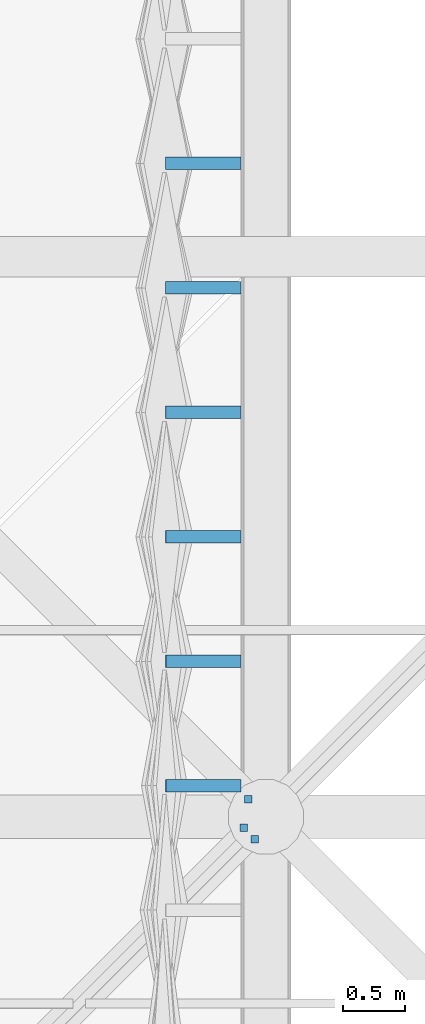
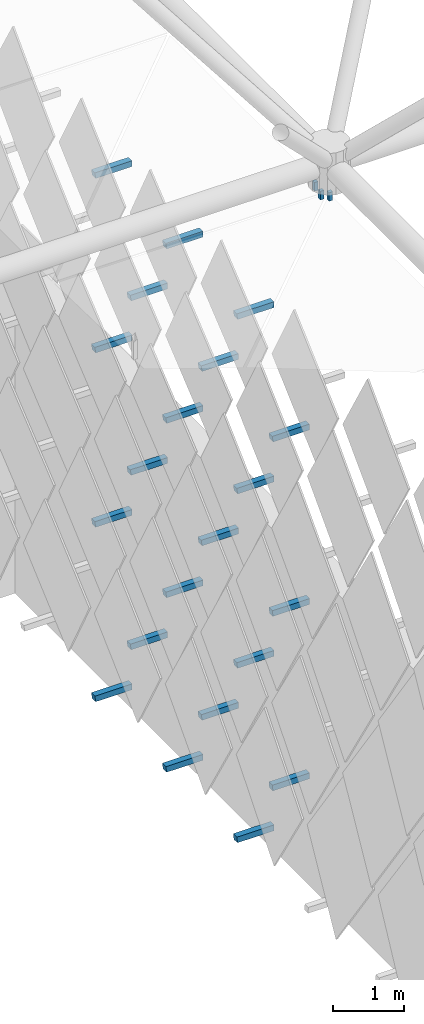
# One storey, part 359 of 437: 24 discrete accessories.
"""IFC4 building model written with IfcOpenShell, lengths in metres."""

from ifc_helpers import new_model, si_unit, direction, frame, origin, place, context, subcontext, project, spatial, polyline, outline, extrude, material, type_object, element, save


model = new_model("IFC4")

# Units and contexts
model_context = context("Model", 3, precision=1e-05, world=origin(), true_north=direction((0.0, 1.0)))
body_context = subcontext(model_context, "Body", "Model", "MODEL_VIEW")
ifc_project = project(units=[si_unit("LENGTHUNIT", "METRE"), si_unit("AREAUNIT", "SQUARE_METRE"), si_unit("VOLUMEUNIT", "CUBIC_METRE"), si_unit("PLANEANGLEUNIT", "RADIAN"), si_unit("MASSUNIT", "GRAM", prefix="KILO")], contexts=[model_context])

# Site, building, storey
site_placement = place(None, origin())
site = spatial("IfcSite", under=ifc_project, at=site_placement, CompositionType="ELEMENT")
building_placement = place(site_placement, origin())
building = spatial("IfcBuilding", under=site, at=building_placement, Name="Opaline Strait Convention Centre", CompositionType="ELEMENT")
storey_placement = place(building_placement, frame((0.0, 0.0, 11.5)))
storey = spatial("IfcBuildingStorey", under=building, at=storey_placement, Name="L02", CompositionType="ELEMENT", Elevation=11.5)

# Discrete accessories
ifc_material = material(Name="Steel Q355B", Category="steel")
discrete_accessory_type_1 = type_object("IfcDiscreteAccessoryType", Name="Soffit hanger 60x60 steel", PredefinedType="BRACKET", material=ifc_material)
discrete_accessory_1_placement = place(storey_placement, frame((0.0, 0.0, 11.9931640625)))
element("IfcDiscreteAccessory", 1, at=discrete_accessory_1_placement, inside=storey, type_object=discrete_accessory_type_1, Name="Soffit hanger", PredefinedType="BRACKET", context=body_context, shape_type="SweptSolid", body=[
    extrude(outline(polyline([(98.880859375, 98.791015625), (98.940673828125, 98.791015625), (98.940673828125, 98.85107421875), (98.880859375, 98.85107421875), (98.880859375, 98.791015625)])), origin(), (0.0, 0.0, 1.0), 0.146728515625),
])
discrete_accessory_2_placement = place(storey_placement, frame((0.0, 0.0, 11.9931640625)))
element("IfcDiscreteAccessory", 2, at=discrete_accessory_2_placement, inside=storey, type_object=discrete_accessory_type_1, Name="Soffit hanger", PredefinedType="BRACKET", context=body_context, shape_type="SweptSolid", body=[
    extrude(outline(polyline([(98.791015625, 98.880859375), (98.85107421875, 98.880859375), (98.85107421875, 98.940673828125), (98.791015625, 98.940673828125), (98.791015625, 98.880859375)])), origin(), (0.0, 0.0, 1.0), 0.146728515625),
])
discrete_accessory_3_placement = place(storey_placement, frame((0.0, 0.0, 11.990234375)))
element("IfcDiscreteAccessory", 3, at=discrete_accessory_3_placement, inside=storey, type_object=discrete_accessory_type_1, Name="Soffit hanger", PredefinedType="BRACKET", context=body_context, shape_type="SweptSolid", body=[
    extrude(outline(polyline([(98.82861328125, 99.111328125), (98.888671875, 99.111328125), (98.888671875, 99.17138671875), (98.82861328125, 99.17138671875), (98.82861328125, 99.111328125)])), origin(), (0.0, 0.0, 1.0), 0.149658203125),
])
discrete_accessory_type_2 = type_object("IfcDiscreteAccessoryType", Name="Tile bracket 100x100 steel", PredefinedType="BRACKET", material=ifc_material)
discrete_accessory_4_placement = place(storey_placement, frame((98.800048828125, 104.300048828125, 0.39208984375), z_axis=(0.0, -1.0, 0.0), x_axis=(1.0, 0.0, 0.0)))
element("IfcDiscreteAccessory", 4, at=discrete_accessory_4_placement, inside=storey, type_object=discrete_accessory_type_2, Name="Tile bracket XT13 W", PredefinedType="BRACKET", context=body_context, shape_type="SweptSolid", body=[
    extrude(outline(polyline([(0.0, -0.050048828125), (0.0, 0.050048828125), (-0.605712890625, 0.050048828125), (-0.59423828125, -0.050048828125), (0.0, -0.050048828125)])), origin(), (0.0, 0.0, 1.0), 0.10009765625),
])
discrete_accessory_5_placement = place(storey_placement, frame((98.800048828125, 102.300048828125, 0.39208984375), z_axis=(0.0, -1.0, 0.0), x_axis=(1.0, 0.0, 0.0)))
element("IfcDiscreteAccessory", 5, at=discrete_accessory_5_placement, inside=storey, type_object=discrete_accessory_type_2, Name="Tile bracket XT09 W", PredefinedType="BRACKET", context=body_context, shape_type="SweptSolid", body=[
    extrude(outline(polyline([(0.0, -0.050048828125), (0.0, 0.050048828125), (-0.60400390625, 0.050048828125), (-0.595947265625, -0.050048828125), (0.0, -0.050048828125)])), origin(), (0.0, 0.0, 1.0), 0.10009765625),
])
discrete_accessory_6_placement = place(storey_placement, frame((98.800048828125, 100.300048828125, 0.39208984375), z_axis=(0.0, -1.0, 0.0), x_axis=(1.0, 0.0, 0.0)))
element("IfcDiscreteAccessory", 6, at=discrete_accessory_6_placement, inside=storey, type_object=discrete_accessory_type_2, Name="Tile bracket XT06 W", PredefinedType="BRACKET", context=body_context, shape_type="SweptSolid", body=[
    extrude(outline(polyline([(0.0, -0.050048828125), (0.0, 0.050048828125), (-0.6025390625, 0.050048828125), (-0.597412109375, -0.050048828125), (0.0, -0.050048828125)])), origin(), (0.0, 0.0, 1.0), 0.10009765625),
])
discrete_accessory_7_placement = place(storey_placement, frame((98.800048828125, 103.300048828125, 1.89208984375), z_axis=(0.0, -1.0, 0.0), x_axis=(1.0, 0.0, 0.0)))
element("IfcDiscreteAccessory", 7, at=discrete_accessory_7_placement, inside=storey, type_object=discrete_accessory_type_2, Name="Tile bracket XT14 W", PredefinedType="BRACKET", context=body_context, shape_type="SweptSolid", body=[
    extrude(outline(polyline([(0.0, -0.050048828125), (0.0, 0.050048828125), (-0.606201171875, 0.050048828125), (-0.59375, -0.050048828125), (0.0, -0.050048828125)])), origin(), (0.0, 0.0, 1.0), 0.10009765625),
])
discrete_accessory_8_placement = place(storey_placement, frame((98.800048828125, 101.300048828125, 1.89208984375), z_axis=(0.0, -1.0, 0.0), x_axis=(1.0, 0.0, 0.0)))
element("IfcDiscreteAccessory", 8, at=discrete_accessory_8_placement, inside=storey, type_object=discrete_accessory_type_2, Name="Tile bracket XT09 W", PredefinedType="BRACKET", context=body_context, shape_type="SweptSolid", body=[
    extrude(outline(polyline([(0.0, -0.050048828125), (0.0, 0.050048828125), (-0.60400390625, 0.050048828125), (-0.595947265625, -0.050048828125), (0.0, -0.050048828125)])), origin(), (0.0, 0.0, 1.0), 0.10009765625),
])
discrete_accessory_9_placement = place(storey_placement, frame((98.800048828125, 99.300048828125, 1.89208984375), z_axis=(0.0, -1.0, 0.0), x_axis=(1.0, 0.0, 0.0)))
element("IfcDiscreteAccessory", 9, at=discrete_accessory_9_placement, inside=storey, type_object=discrete_accessory_type_2, Name="Tile bracket XT06 W", PredefinedType="BRACKET", context=body_context, shape_type="SweptSolid", body=[
    extrude(outline(polyline([(0.0, -0.050048828125), (0.0, 0.050048828125), (-0.6025390625, 0.050048828125), (-0.597412109375, -0.050048828125), (0.0, -0.050048828125)])), origin(), (0.0, 0.0, 1.0), 0.10009765625),
])
discrete_accessory_10_placement = place(storey_placement, frame((98.800048828125, 104.300048828125, 3.39208984375), z_axis=(0.0, -1.0, 0.0), x_axis=(1.0, 0.0, 0.0)))
element("IfcDiscreteAccessory", 10, at=discrete_accessory_10_placement, inside=storey, type_object=discrete_accessory_type_2, Name="Tile bracket XT16 W", PredefinedType="BRACKET", context=body_context, shape_type="SweptSolid", body=[
    extrude(outline(polyline([(0.0, -0.050048828125), (0.0, 0.050048828125), (-0.60693359375, 0.050048828125), (-0.593017578125, -0.050048828125), (0.0, -0.050048828125)])), origin(), (0.0, 0.0, 1.0), 0.10009765625),
])
discrete_accessory_11_placement = place(storey_placement, frame((98.800048828125, 102.300048828125, 3.39208984375), z_axis=(0.0, -1.0, 0.0), x_axis=(1.0, 0.0, 0.0)))
element("IfcDiscreteAccessory", 11, at=discrete_accessory_11_placement, inside=storey, type_object=discrete_accessory_type_2, Name="Tile bracket XT14 W", PredefinedType="BRACKET", context=body_context, shape_type="SweptSolid", body=[
    extrude(outline(polyline([(0.0, -0.050048828125), (0.0, 0.050048828125), (-0.606201171875, 0.050048828125), (-0.59375, -0.050048828125), (0.0, -0.050048828125)])), origin(), (0.0, 0.0, 1.0), 0.10009765625),
])
discrete_accessory_12_placement = place(storey_placement, frame((98.800048828125, 100.300048828125, 3.39208984375), z_axis=(0.0, -1.0, 0.0), x_axis=(1.0, 0.0, 0.0)))
element("IfcDiscreteAccessory", 12, at=discrete_accessory_12_placement, inside=storey, type_object=discrete_accessory_type_2, Name="Tile bracket XT10 W", PredefinedType="BRACKET", context=body_context, shape_type="SweptSolid", body=[
    extrude(outline(polyline([(0.0, -0.050048828125), (0.0, 0.050048828125), (-0.604248046875, 0.050048828125), (-0.595703125, -0.050048828125), (0.0, -0.050048828125)])), origin(), (0.0, 0.0, 1.0), 0.10009765625),
])
discrete_accessory_13_placement = place(storey_placement, frame((98.800048828125, 103.300048828125, 4.89208984375), z_axis=(0.0, -1.0, 0.0), x_axis=(1.0, 0.0, 0.0)))
element("IfcDiscreteAccessory", 13, at=discrete_accessory_13_placement, inside=storey, type_object=discrete_accessory_type_2, Name="Tile bracket XT16 W", PredefinedType="BRACKET", context=body_context, shape_type="SweptSolid", body=[
    extrude(outline(polyline([(0.0, -0.050048828125), (0.0, 0.050048828125), (-0.60693359375, 0.050048828125), (-0.593017578125, -0.050048828125), (0.0, -0.050048828125)])), origin(), (0.0, 0.0, 1.0), 0.10009765625),
])
discrete_accessory_14_placement = place(storey_placement, frame((98.800048828125, 101.300048828125, 4.89208984375), z_axis=(0.0, -1.0, 0.0), x_axis=(1.0, 0.0, 0.0)))
element("IfcDiscreteAccessory", 14, at=discrete_accessory_14_placement, inside=storey, type_object=discrete_accessory_type_2, Name="Tile bracket XT14 W", PredefinedType="BRACKET", context=body_context, shape_type="SweptSolid", body=[
    extrude(outline(polyline([(0.0, -0.050048828125), (0.0, 0.050048828125), (-0.606201171875, 0.050048828125), (-0.59375, -0.050048828125), (0.0, -0.050048828125)])), origin(), (0.0, 0.0, 1.0), 0.10009765625),
])
discrete_accessory_15_placement = place(storey_placement, frame((98.800048828125, 99.300048828125, 4.89208984375), z_axis=(0.0, -1.0, 0.0), x_axis=(1.0, 0.0, 0.0)))
element("IfcDiscreteAccessory", 15, at=discrete_accessory_15_placement, inside=storey, type_object=discrete_accessory_type_2, Name="Tile bracket XT10 W", PredefinedType="BRACKET", context=body_context, shape_type="SweptSolid", body=[
    extrude(outline(polyline([(0.0, -0.050048828125), (0.0, 0.050048828125), (-0.604248046875, 0.050048828125), (-0.595703125, -0.050048828125), (0.0, -0.050048828125)])), origin(), (0.0, 0.0, 1.0), 0.10009765625),
])
for number, where, z_axis, x_axis, name in (
    (16, (98.800048828125, 104.300048828125, 6.39208984375), (0.0, -1.0, 0.0), (1.0, 0.0, 0.0), "Tile bracket XT17 W"),
    (17, (98.800048828125, 102.300048828125, 6.39208984375), (0.0, -1.0, 0.0), (1.0, 0.0, 0.0), "Tile bracket XT17 W"),
):
    element("IfcDiscreteAccessory", number, at=place(storey_placement, frame(where, z_axis=z_axis, x_axis=x_axis)), inside=storey, type_object=discrete_accessory_type_2, Name=name, PredefinedType="BRACKET", context=body_context, shape_type="SweptSolid", body=[
        extrude(outline(polyline([(0.0, -0.050048828125), (0.0, 0.050048828125), (-0.607421875, 0.050048828125), (-0.592529296875, -0.050048828125), (0.0, -0.050048828125)])), origin(), (0.0, 0.0, 1.0), 0.10009765625),
    ])
discrete_accessory_16_placement = place(storey_placement, frame((98.800048828125, 100.300048828125, 6.39208984375), z_axis=(0.0, -1.0, 0.0), x_axis=(1.0, 0.0, 0.0)))
element("IfcDiscreteAccessory", 18, at=discrete_accessory_16_placement, inside=storey, type_object=discrete_accessory_type_2, Name="Tile bracket XT14 W", PredefinedType="BRACKET", context=body_context, shape_type="SweptSolid", body=[
    extrude(outline(polyline([(0.0, -0.050048828125), (0.0, 0.050048828125), (-0.606201171875, 0.050048828125), (-0.59375, -0.050048828125), (0.0, -0.050048828125)])), origin(), (0.0, 0.0, 1.0), 0.10009765625),
])
for number, where, z_axis, x_axis, name in (
    (19, (98.800048828125, 103.300048828125, 7.89208984375), (0.0, -1.0, 0.0), (1.0, 0.0, 0.0), "Tile bracket XT17 W"),
    (20, (98.800048828125, 101.300048828125, 7.89208984375), (0.0, -1.0, 0.0), (1.0, 0.0, 0.0), "Tile bracket XT17 W"),
):
    element("IfcDiscreteAccessory", number, at=place(storey_placement, frame(where, z_axis=z_axis, x_axis=x_axis)), inside=storey, type_object=discrete_accessory_type_2, Name=name, PredefinedType="BRACKET", context=body_context, shape_type="SweptSolid", body=[
        extrude(outline(polyline([(0.0, -0.050048828125), (0.0, 0.050048828125), (-0.607421875, 0.050048828125), (-0.592529296875, -0.050048828125), (0.0, -0.050048828125)])), origin(), (0.0, 0.0, 1.0), 0.10009765625),
    ])
discrete_accessory_17_placement = place(storey_placement, frame((98.800048828125, 99.300048828125, 7.89208984375), z_axis=(0.0, -1.0, 0.0), x_axis=(1.0, 0.0, 0.0)))
element("IfcDiscreteAccessory", 21, at=discrete_accessory_17_placement, inside=storey, type_object=discrete_accessory_type_2, Name="Tile bracket XT14 W", PredefinedType="BRACKET", context=body_context, shape_type="SweptSolid", body=[
    extrude(outline(polyline([(0.0, -0.050048828125), (0.0, 0.050048828125), (-0.606201171875, 0.050048828125), (-0.59375, -0.050048828125), (0.0, -0.050048828125)])), origin(), (0.0, 0.0, 1.0), 0.10009765625),
])
discrete_accessory_18_placement = place(storey_placement, frame((98.800048828125, 104.300048828125, 9.39208984375), z_axis=(0.0, -1.0, 0.0), x_axis=(1.0, 0.0, 0.0)))
element("IfcDiscreteAccessory", 22, at=discrete_accessory_18_placement, inside=storey, type_object=discrete_accessory_type_2, Name="Tile bracket XT15 W", PredefinedType="BRACKET", context=body_context, shape_type="SweptSolid", body=[
    extrude(outline(polyline([(0.0, -0.050048828125), (0.0, 0.050048828125), (-0.606689453125, 0.050048828125), (-0.593505859375, -0.050048828125), (0.0, -0.050048828125)])), origin(), (0.0, 0.0, 1.0), 0.10009765625),
])
for number, where, z_axis, x_axis, name in (
    (23, (98.800048828125, 102.300048828125, 9.39208984375), (0.0, -1.0, 0.0), (1.0, 0.0, 0.0), "Tile bracket XT17 W"),
    (24, (98.800048828125, 100.300048828125, 9.39208984375), (0.0, -1.0, 0.0), (1.0, 0.0, 0.0), "Tile bracket XT17 W"),
):
    element("IfcDiscreteAccessory", number, at=place(storey_placement, frame(where, z_axis=z_axis, x_axis=x_axis)), inside=storey, type_object=discrete_accessory_type_2, Name=name, PredefinedType="BRACKET", context=body_context, shape_type="SweptSolid", body=[
        extrude(outline(polyline([(0.0, -0.050048828125), (0.0, 0.050048828125), (-0.607421875, 0.050048828125), (-0.592529296875, -0.050048828125), (0.0, -0.050048828125)])), origin(), (0.0, 0.0, 1.0), 0.10009765625),
    ])

save(model, "model.ifc")
